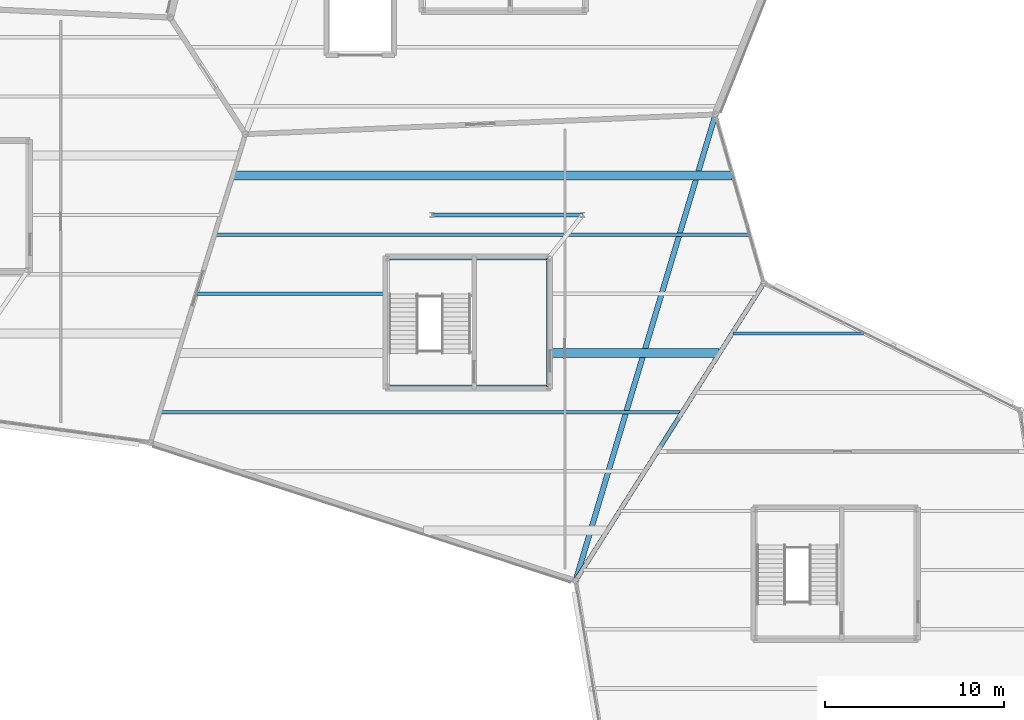
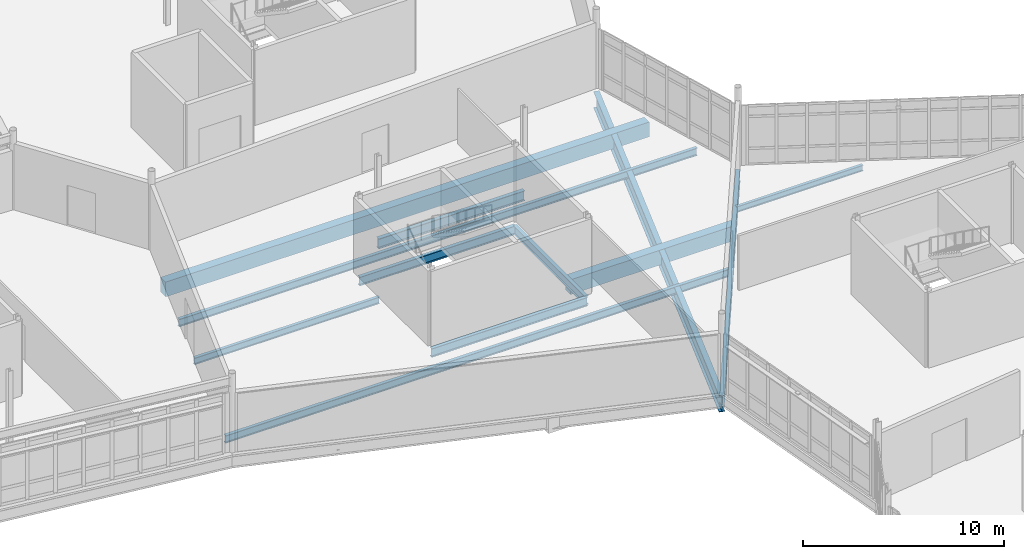
# One storey, part 45 of 114: 12 beams.
"""IFC4 building model written with IfcOpenShell, lengths in metres."""

from ifc_helpers import new_model, si_unit, direction, frame, origin, origin_2d, place, context, subcontext, project, spatial, rectangle, i_section, extrude, material, material_profile, profile_set, type_object, element, save


model = new_model("IFC4")

# Units and contexts
model_context = context("Model", 3, precision=1e-05, world=origin(), true_north=direction((0.0, 1.0)))
body_context = subcontext(model_context, "Body", "Model", "MODEL_VIEW")
ifc_project = project(units=[si_unit("LENGTHUNIT", "METRE"), si_unit("AREAUNIT", "SQUARE_METRE"), si_unit("VOLUMEUNIT", "CUBIC_METRE"), si_unit("PLANEANGLEUNIT", "RADIAN"), si_unit("MASSUNIT", "GRAM", prefix="KILO")], contexts=[model_context])

# Site, building, storey
site_placement = place(None, origin())
site = spatial("IfcSite", under=ifc_project, at=site_placement, CompositionType="ELEMENT")
building_placement = place(site_placement, origin())
building = spatial("IfcBuilding", under=site, at=building_placement, Name="Tameran Prism Museum", CompositionType="ELEMENT")
storey_placement = place(building_placement, frame((0.0, 0.0, 10.199951171875)))
storey = spatial("IfcBuildingStorey", under=building, at=storey_placement, Name="L02", CompositionType="ELEMENT", Elevation=10.199951171875)

# Beams
ifc_material_1 = material(Name="Steel Grade 300PLUS (300 MPa)", Category="steel")
ifc_material_profile_1 = material_profile(ifc_material_1, i_section(OverallWidth=0.1708984375, OverallDepth=0.35595703125, WebThickness=0.00732421875, FlangeThickness=0.011474609375, FilletRadius=0.011474609375, at=origin_2d()))
ifc_profile_set_1 = profile_set([ifc_material_profile_1])
beam_type_1 = type_object("IfcBeamType", Name="BM-J360B", PredefinedType="JOIST", material=ifc_profile_set_1)
beam_1_placement = place(storey_placement, frame((58.77587890625, 70.39990234375, -0.3779296875), z_axis=(1.0, 0.0, 0.0), x_axis=(0.0, 1.0, 0.0)))
element("IfcBeam", 1, at=beam_1_placement, inside=storey, type_object=beam_type_1, Name="Floor Beam BM-0871", PredefinedType="JOIST", context=body_context, shape_type="SweptSolid", body=[
    extrude(i_section(OverallWidth=0.1708984375, OverallDepth=0.35595703125, WebThickness=0.00732421875, FlangeThickness=0.011474609375, FilletRadius=0.011474609375, at=origin_2d()), origin(), (0.0, 0.0, 1.0), 7.273193359375),
])
ifc_material_2 = material(Name="Steel Grade 300PLUS (300 MPa)", Category="steel")
ifc_material_profile_2 = material_profile(ifc_material_2, i_section(OverallWidth=0.177978515625, OverallDepth=0.406005859375, WebThickness=0.0078125, FlangeThickness=0.0126953125, FilletRadius=0.011474609375, at=origin_2d()))
ifc_profile_set_2 = profile_set([ifc_material_profile_2])
beam_type_2 = type_object("IfcBeamType", Name="BM-J410A", PredefinedType="JOIST", material=ifc_profile_set_2)
beam_2_placement = place(storey_placement, frame((28.89892578125, 72.60009765625, -0.462890625), z_axis=(1.0, 0.0, 0.0), x_axis=(0.0, 1.0, 0.0)))
element("IfcBeam", 2, at=beam_2_placement, inside=storey, type_object=beam_type_2, Name="Floor Beam BM-0910", PredefinedType="JOIST", context=body_context, shape_type="SweptSolid", body=[
    extrude(i_section(OverallWidth=0.177978515625, OverallDepth=0.406005859375, WebThickness=0.0078125, FlangeThickness=0.0126953125, FilletRadius=0.011474609375, at=origin_2d()), origin(), (0.0, 0.0, 1.0), 10.62109375),
])
ifc_material_3 = material(Name="Steel Grade 300PLUS (300 MPa)", Category="steel")
ifc_material_profile_3 = material_profile(ifc_material_3, i_section(OverallWidth=0.19091796875, OverallDepth=0.4599609375, WebThickness=0.010009765625, FlangeThickness=0.01611328125, FilletRadius=0.011474609375, at=origin_2d()))
ifc_profile_set_3 = profile_set([ifc_material_profile_3])
beam_type_3 = type_object("IfcBeamType", Name="BM-J460A", PredefinedType="JOIST", material=ifc_profile_set_3)
beam_3_placement = place(storey_placement, frame((26.865966796875, 66.0, -0.489990234375), z_axis=(1.0, 0.0, 0.0), x_axis=(0.0, 1.0, 0.0)))
element("IfcBeam", 3, at=beam_3_placement, inside=storey, type_object=beam_type_3, Name="Floor Beam BM-0907", PredefinedType="JOIST", context=body_context, shape_type="SweptSolid", body=[
    extrude(i_section(OverallWidth=0.19091796875, OverallDepth=0.4599609375, WebThickness=0.010009765625, FlangeThickness=0.01611328125, FilletRadius=0.011474609375, at=origin_2d()), origin(), (0.0, 0.0, 1.0), 29.031982421875),
])
beam_4_placement = place(storey_placement, frame((29.916015625, 75.89990234375, -0.489990234375), z_axis=(1.0, 0.0, 0.0), x_axis=(0.0, 1.0, 0.0)))
element("IfcBeam", 4, at=beam_4_placement, inside=storey, type_object=beam_type_3, Name="Floor Beam BM-0912", PredefinedType="JOIST", context=body_context, shape_type="SweptSolid", body=[
    extrude(i_section(OverallWidth=0.19091796875, OverallDepth=0.4599609375, WebThickness=0.010009765625, FlangeThickness=0.01611328125, FilletRadius=0.011474609375, at=origin_2d()), origin(), (0.0, 0.0, 1.0), 29.76708984375),
])
ifc_material_4 = material(Name="Concrete N40 (40 MPa)", Category="concrete")
ifc_material_profile_4 = material_profile(ifc_material_4, rectangle(XDim=0.5, YDim=0.89990234375, at=origin_2d()))
ifc_profile_set_4 = profile_set([ifc_material_profile_4])
beam_type_4 = type_object("IfcBeamType", Name="BM-RC900", PredefinedType="BEAM", material=ifc_profile_set_4)
beam_5_placement = place(storey_placement, frame((48.47998046875, 69.300048828125, -0.7099609375), z_axis=(1.0, 0.0, 0.0), x_axis=(0.0, 1.0, 0.0)))
element("IfcBeam", 5, at=beam_5_placement, inside=storey, type_object=beam_type_4, Name="Floor Beam BM-0909", PredefinedType="BEAM", context=body_context, shape_type="SweptSolid", body=[
    extrude(rectangle(XDim=0.5, YDim=0.89990234375, at=origin_2d()), origin(), (0.0, 0.0, 1.0), 9.506103515625),
])
beam_6_placement = place(storey_placement, frame((30.93310546875, 79.199951171875, -0.7099609375), z_axis=(1.0, 0.0, 0.0), x_axis=(0.0, 1.0, 0.0)))
element("IfcBeam", 6, at=beam_6_placement, inside=storey, type_object=beam_type_4, Name="Floor Beam BM-0913", PredefinedType="BEAM", context=body_context, shape_type="SweptSolid", body=[
    extrude(rectangle(XDim=0.5, YDim=0.89990234375, at=origin_2d()), origin(), (0.0, 0.0, 1.0), 27.802001953125),
])
ifc_material_5 = material(Name="Steel Grade 300PLUS (300 MPa)", Category="steel")
ifc_material_profile_5 = material_profile(ifc_material_5, i_section(OverallWidth=0.208984375, OverallDepth=0.528076171875, WebThickness=0.009521484375, FlangeThickness=0.01318359375, FilletRadius=0.013916015625, at=origin_2d()))
ifc_profile_set_5 = profile_set([ifc_material_profile_5])
beam_type_5 = type_object("IfcBeamType", Name="BM-SP530B", PredefinedType="SPANDREL", material=ifc_profile_set_5)
beam_7_placement = place(storey_placement, frame((39.52001953125, 67.419921875, -0.52392578125), z_axis=(1.0, 0.0, 0.0), x_axis=(0.0, 1.0, 0.0)))
element("IfcBeam", 7, at=beam_7_placement, inside=storey, type_object=beam_type_5, Name="Core Ring Beam CTB-0781", PredefinedType="SPANDREL", context=body_context, shape_type="SweptSolid", body=[
    extrude(i_section(OverallWidth=0.208984375, OverallDepth=0.528076171875, WebThickness=0.009521484375, FlangeThickness=0.01318359375, FilletRadius=0.013916015625, at=origin_2d()), origin(), (0.0, 0.0, 1.0), 8.9599609375),
])
beam_8_placement = place(storey_placement, frame((48.47998046875, 67.419921875, -0.52392578125), z_axis=(0.0, 1.0, 0.0), x_axis=(-1.0, 0.0, 0.0)))
element("IfcBeam", 8, at=beam_8_placement, inside=storey, type_object=beam_type_5, Name="Core Ring Beam CTB-0782", PredefinedType="SPANDREL", context=body_context, shape_type="SweptSolid", body=[
    extrude(i_section(OverallWidth=0.208984375, OverallDepth=0.528076171875, WebThickness=0.009521484375, FlangeThickness=0.01318359375, FilletRadius=0.013916015625, at=origin_2d()), origin(), (0.0, 0.0, 1.0), 7.16015625),
])
beam_9_placement = place(storey_placement, frame((48.47998046875, 74.580078125, -0.52392578125), z_axis=(-1.0, 0.0, 0.0), x_axis=(0.0, -1.0, 0.0)))
element("IfcBeam", 9, at=beam_9_placement, inside=storey, type_object=beam_type_5, Name="Core Ring Beam CTB-0783", PredefinedType="SPANDREL", context=body_context, shape_type="SweptSolid", body=[
    extrude(i_section(OverallWidth=0.208984375, OverallDepth=0.528076171875, WebThickness=0.009521484375, FlangeThickness=0.01318359375, FilletRadius=0.013916015625, at=origin_2d()), origin(), (0.0, 0.0, 1.0), 8.9599609375),
])
ifc_material_6 = material(Name="Steel Grade 350 (350 MPa)", Category="steel")
ifc_material_profile_6 = material_profile(ifc_material_6, i_section(OverallWidth=0.25, OverallDepth=0.699951171875, WebThickness=0.010009765625, FlangeThickness=0.02001953125, at=origin_2d()))
ifc_profile_set_6 = profile_set([ifc_material_profile_6])
beam_type_6 = type_object("IfcBeamType", Name="BM-SP700", PredefinedType="SPANDREL", material=ifc_profile_set_6)
beam_10_placement = place(storey_placement, frame((60.5, 73.199951171875, -0.60986328125), z_axis=(-0.534570878454, -0.845123645338, 0.0), x_axis=(0.845123645338, -0.534570878454, 0.0)))
element("IfcBeam", 10, at=beam_10_placement, inside=storey, type_object=beam_type_6, Name="Perimeter Spandrel SP-0693", PredefinedType="SPANDREL", context=body_context, shape_type="SweptSolid", body=[
    extrude(i_section(OverallWidth=0.25, OverallDepth=0.699951171875, WebThickness=0.010009765625, FlangeThickness=0.02001953125, at=origin_2d()), origin(), (0.0, 0.0, 1.0), 19.641845703125),
])
ifc_material_7 = material(Name="Steel Grade 300PLUS (300 MPa)", Category="steel")
ifc_material_profile_7 = material_profile(ifc_material_7, i_section(OverallWidth=0.22900390625, OverallDepth=0.612060546875, WebThickness=0.011962890625, FlangeThickness=0.01953125, FilletRadius=0.013916015625, at=origin_2d()))
ifc_profile_set_7 = profile_set([ifc_material_profile_7])
beam_type_7 = type_object("IfcBeamType", Name="BM-UB610A", PredefinedType="BEAM", material=ifc_profile_set_7)
beam_11_placement = place(storey_placement, frame((50.39990234375, 77.0, -0.56591796875), z_axis=(-1.0, 0.0, 0.0), x_axis=(0.0, -1.0, 0.0)))
element("IfcBeam", 11, at=beam_11_placement, inside=storey, type_object=beam_type_7, Name="Frame Tie Girder FG-1328", PredefinedType="BEAM", context=body_context, shape_type="SweptSolid", body=[
    extrude(i_section(OverallWidth=0.22900390625, OverallDepth=0.612060546875, WebThickness=0.011962890625, FlangeThickness=0.01953125, FilletRadius=0.013916015625, at=origin_2d()), origin(), (0.0, 0.0, 1.0), 8.39990234375),
])
ifc_material_8 = material(Name="Steel Grade 350 (350 MPa)", Category="steel")
ifc_material_profile_8 = material_profile(ifc_material_8, i_section(OverallWidth=0.300048828125, OverallDepth=1.0, WebThickness=0.01611328125, FlangeThickness=0.031982421875, at=origin_2d()))
ifc_profile_set_8 = profile_set([ifc_material_profile_8])
beam_type_8 = type_object("IfcBeamType", Name="BM-WB1000", PredefinedType="BEAM", material=ifc_profile_set_8)
beam_12_placement = place(storey_placement, frame((50.0, 56.60009765625, -0.760009765625), z_axis=(0.287349535842, 0.957825790137, 0.0), x_axis=(-0.957825790137, 0.287349535842, 0.0)))
element("IfcBeam", 12, at=beam_12_placement, inside=storey, type_object=beam_type_8, Name="Primary Vertex Girder PG-0733", PredefinedType="BEAM", context=body_context, shape_type="SweptSolid", body=[
    extrude(i_section(OverallWidth=0.300048828125, OverallDepth=1.0, WebThickness=0.01611328125, FlangeThickness=0.031982421875, at=origin_2d()), origin(), (0.0, 0.0, 1.0), 27.144775390625),
])

save(model, "model.ifc")
